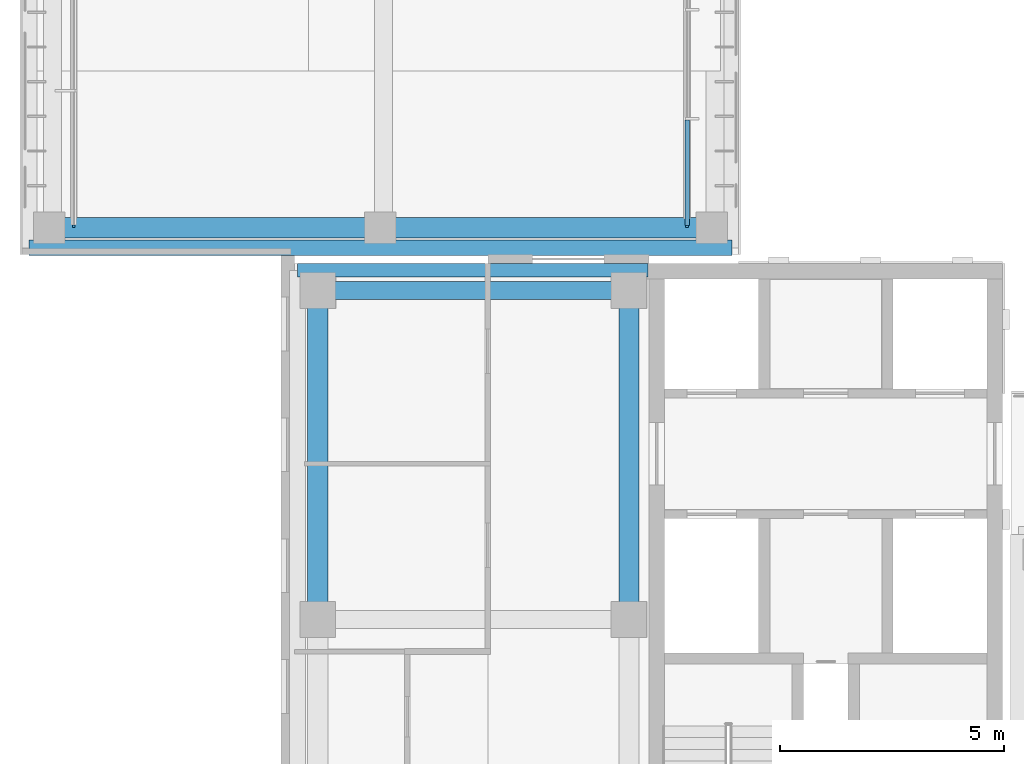
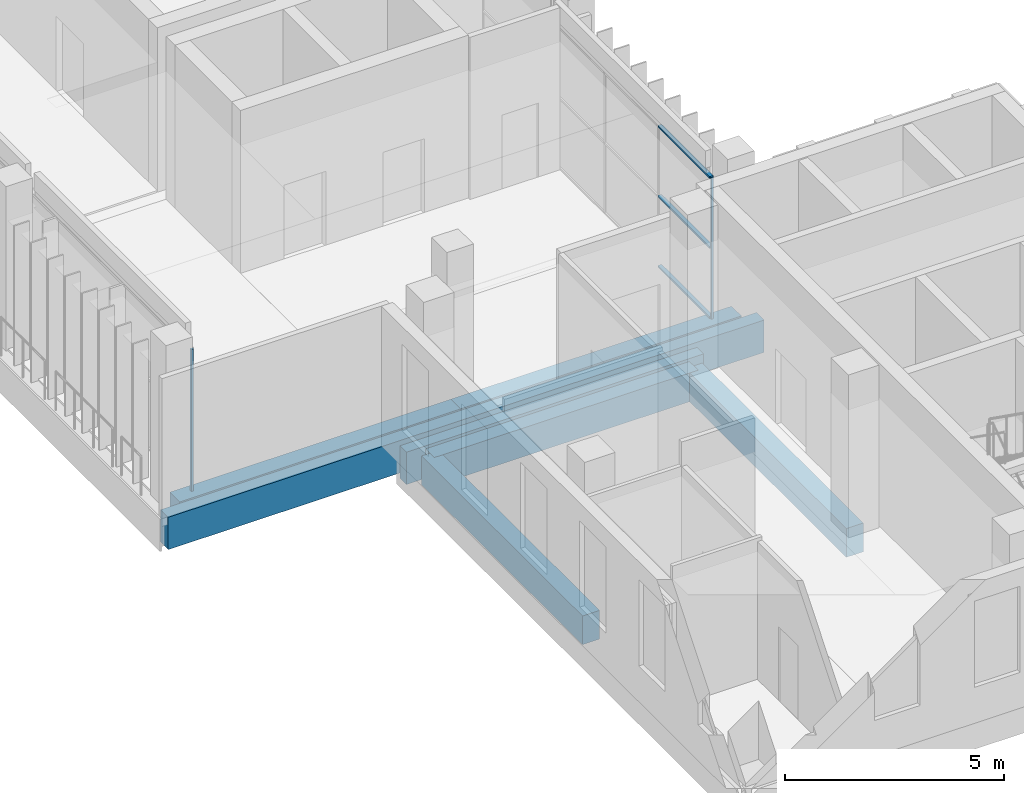
# One storey, part 3 of 46: 7 beams, 5 members, 2 elements without a shape of their own.
"""IFC4 building model written with IfcOpenShell, lengths in metres."""

from ifc_helpers import new_model, si_unit, direction, frame, origin, origin_2d, place, context, subcontext, project, spatial, rectangle, extrude, material, material_profile, profile_set, type_object, element, aggregate, save


model = new_model("IFC4")

# Units and contexts
model_context = context("Model", 3, precision=1e-05, world=origin(), true_north=direction((0.0, 1.0)))
body_context = subcontext(model_context, "Body", "Model", "MODEL_VIEW")
ifc_project = project(units=[si_unit("LENGTHUNIT", "METRE"), si_unit("AREAUNIT", "SQUARE_METRE"), si_unit("VOLUMEUNIT", "CUBIC_METRE"), si_unit("PLANEANGLEUNIT", "RADIAN"), si_unit("MASSUNIT", "GRAM", prefix="KILO")], contexts=[model_context])

# Site, building, storey
site_placement = place(None, origin())
site = spatial("IfcSite", under=ifc_project, at=site_placement, CompositionType="ELEMENT")
building_placement = place(site_placement, origin())
building = spatial("IfcBuilding", under=site, at=building_placement, Name="Lantern Court Media Centre", CompositionType="ELEMENT")
storey_placement = place(building_placement, frame((0.0, 0.0, 28.800048828125)))
storey = spatial("IfcBuildingStorey", under=building, at=storey_placement, Name="L06", CompositionType="ELEMENT", Elevation=28.800048828125)

# Curtain wall, member
ifc_material_1 = material(Name="Curtain wall bay 2400")
curtain_wall_type_1 = type_object("IfcCurtainWallType", Name="Curtain wall bay 2400", PredefinedType="NOTDEFINED", material=ifc_material_1)
curtain_wall_1_placement = place(storey_placement, origin())
curtain_wall_1 = element("IfcCurtainWall", 1, at=curtain_wall_1_placement, inside=storey, type_object=curtain_wall_type_1, Name="Curtain wall W inner L06", PredefinedType="NOTDEFINED")
ifc_material_2 = material(Name="Anodised aluminium", Category="aluminium")
ifc_material_profile_1 = material_profile(ifc_material_2, rectangle(XDim=0.06005859375, YDim=0.050048828125, at=origin_2d()), Name="AL 50x60")
ifc_profile_set_1 = profile_set([ifc_material_profile_1], Name="Anodised aluminium")
member_type_1 = type_object("IfcMemberType", Name="Curtain wall mullion 50x60", PredefinedType="MULLION", material=ifc_profile_set_1)
member_1_placement = place(storey_placement, frame((16.85009765625, 64.72509765625, 0.0), z_axis=(0.0, 0.0, 1.0), x_axis=(-1.0, 0.0, 0.0)))
member_1 = element("IfcMember", 2, at=member_1_placement, type_object=member_type_1, Name="CW2 mullion 1", PredefinedType="MULLION", context=body_context, shape_type="SweptSolid", body=[
    extrude(rectangle(XDim=0.06005859375, YDim=0.050048828125, at=origin_2d()), origin(), (0.0, 0.0, 1.0), 3.949951171875),
])

ifc_material_3 = material(Name="Curtain wall bay 3000")
curtain_wall_type_2 = type_object("IfcCurtainWallType", Name="Curtain wall bay 3000", PredefinedType="NOTDEFINED", material=ifc_material_3)
curtain_wall_2_placement = place(storey_placement, origin())
curtain_wall_2 = element("IfcCurtainWall", 3, at=curtain_wall_2_placement, inside=storey, type_object=curtain_wall_type_2, Name="Curtain wall W outer L06", PredefinedType="NOTDEFINED")
ifc_material_profile_2 = material_profile(ifc_material_2, rectangle(XDim=0.06005859375, YDim=0.06005859375, at=origin_2d()), Name="AL 60x60")
ifc_profile_set_2 = profile_set([ifc_material_profile_2], Name="Anodised aluminium")
member_type_2 = type_object("IfcMemberType", Name="Curtain wall mullion 60x60", PredefinedType="MULLION", material=ifc_profile_set_2)
member_2_placement = place(storey_placement, frame((3.14990234375, 64.72998046875, 0.0), z_axis=(0.0, 0.0, 1.0), x_axis=(-1.0, 0.0, 0.0)))
member_2 = element("IfcMember", 4, at=member_2_placement, type_object=member_type_2, Name="CW1 mullion 1", PredefinedType="MULLION", context=body_context, shape_type="SweptSolid", body=[
    extrude(rectangle(XDim=0.06005859375, YDim=0.06005859375, at=origin_2d()), origin(), (0.0, 0.0, 1.0), 3.949951171875),
])
aggregate(curtain_wall_2, [member_2])

# Member
ifc_material_profile_3 = material_profile(ifc_material_2, rectangle(XDim=0.10009765625, YDim=0.050048828125, at=origin_2d()), Name="AL 50x100")
ifc_profile_set_3 = profile_set([ifc_material_profile_3], Name="Anodised aluminium")
member_type_3 = type_object("IfcMemberType", Name="Curtain wall transom 100x50", PredefinedType="USERDEFINED", material=ifc_profile_set_3)
member_3_placement = place(storey_placement, frame((16.85009765625, 64.75, 0.02490234375), z_axis=(0.0, 1.0, 0.0), x_axis=(-1.0, 0.0, 0.0)))
member_3 = element("IfcMember", 5, at=member_3_placement, type_object=member_type_3, Name="CW2 transom 1.1", ObjectType="TRANSOM", PredefinedType="USERDEFINED", context=body_context, shape_type="SweptSolid", body=[
    extrude(rectangle(XDim=0.10009765625, YDim=0.050048828125, at=origin_2d()), origin(), (0.0, 0.0, 1.0), 2.3583984375),
])

member_4_placement = place(storey_placement, frame((16.85009765625, 64.75, 1.974853515625), z_axis=(0.0, 1.0, 0.0), x_axis=(-1.0, 0.0, 0.0)))
member_4 = element("IfcMember", 6, at=member_4_placement, type_object=member_type_3, Name="CW2 transom 1.2", ObjectType="TRANSOM", PredefinedType="USERDEFINED", context=body_context, shape_type="SweptSolid", body=[
    extrude(rectangle(XDim=0.10009765625, YDim=0.050048828125, at=origin_2d()), origin(), (0.0, 0.0, 1.0), 2.3583984375),
])

member_5_placement = place(storey_placement, frame((16.85009765625, 64.75, 3.925048828125), z_axis=(0.0, 1.0, 0.0), x_axis=(-1.0, 0.0, 0.0)))
member_5 = element("IfcMember", 7, at=member_5_placement, type_object=member_type_3, Name="CW2 transom 1.3", ObjectType="TRANSOM", PredefinedType="USERDEFINED", context=body_context, shape_type="SweptSolid", body=[
    extrude(rectangle(XDim=0.10009765625, YDim=0.050048828125, at=origin_2d()), origin(), (0.0, 0.0, 1.0), 2.3583984375),
])

aggregate(curtain_wall_1, [member_1, member_3, member_4, member_5])

# Beams
ifc_material_4 = material(Name="Concrete C35", Category="concrete")
ifc_material_profile_4 = material_profile(ifc_material_4, rectangle(XDim=0.300048828125, YDim=0.89990234375, at=origin_2d()), Name="RC 300x900")
ifc_profile_set_4 = profile_set([ifc_material_profile_4], Name="Concrete C35")
beam_type_1 = type_object("IfcBeamType", Name="RC BEAM 300x900", PredefinedType="BEAM", material=ifc_profile_set_4)
beam_1_placement = place(storey_placement, frame((8.14990234375, 63.75, -0.449951171875), z_axis=(1.0, 0.0, 0.0), x_axis=(0.0, 1.0, 0.0)))
element("IfcBeam", 8, at=beam_1_placement, inside=storey, type_object=beam_type_1, Name="EB-SW-L06-N", PredefinedType="BEAM", context=body_context, shape_type="SweptSolid", body=[
    extrude(rectangle(XDim=0.300048828125, YDim=0.89990234375, at=origin_2d()), origin(), (0.0, 0.0, 1.0), 7.830078125),
])
ifc_material_profile_5 = material_profile(ifc_material_4, rectangle(XDim=0.35009765625, YDim=0.89990234375, at=origin_2d()), Name="RC 350x900")
ifc_profile_set_5 = profile_set([ifc_material_profile_5], Name="Concrete C35")
beam_type_2 = type_object("IfcBeamType", Name="RC BEAM 350x900", PredefinedType="BEAM", material=ifc_profile_set_5)
beam_2_placement = place(storey_placement, frame((2.14990234375, 64.25, -0.449951171875), z_axis=(1.0, 0.0, 0.0), x_axis=(0.0, 1.0, 0.0)))
element("IfcBeam", 9, at=beam_2_placement, inside=storey, type_object=beam_type_2, Name="EB-W-L06-C", PredefinedType="BEAM", context=body_context, shape_type="SweptSolid", body=[
    extrude(rectangle(XDim=0.35009765625, YDim=0.89990234375, at=origin_2d()), origin(), (0.0, 0.0, 1.0), 15.7001953125),
])
ifc_material_profile_6 = material_profile(ifc_material_4, rectangle(XDim=0.39990234375, YDim=0.800048828125, at=origin_2d()), Name="RC 400x800")
ifc_profile_set_6 = profile_set([ifc_material_profile_6], Name="Concrete C35")
beam_type_3 = type_object("IfcBeamType", Name="RC BEAM 400x800", PredefinedType="BEAM", material=ifc_profile_set_6)
beam_3_placement = place(storey_placement, frame((8.60009765625, 63.300048828125, -0.400146484375), z_axis=(1.0, 0.0, 0.0), x_axis=(0.0, 1.0, 0.0)))
element("IfcBeam", 10, at=beam_3_placement, inside=storey, type_object=beam_type_3, Name="BB-SW-L06-Y0-63", PredefinedType="BEAM", context=body_context, shape_type="SweptSolid", body=[
    extrude(rectangle(XDim=0.39990234375, YDim=0.800048828125, at=origin_2d()), origin(), (0.0, 0.0, 1.0), 6.949951171875),
])
ifc_material_profile_7 = material_profile(ifc_material_4, rectangle(XDim=0.449951171875, YDim=0.800048828125, at=origin_2d()), Name="RC 450x800")
ifc_profile_set_7 = profile_set([ifc_material_profile_7], Name="Concrete C35")
beam_type_4 = type_object("IfcBeamType", Name="RC BEAM 450x800", PredefinedType="BEAM", material=ifc_profile_set_7)
for number, where, z_axis, x_axis, name in (
    (11, (8.60009765625, 55.949951171875, -0.400146484375), (0.0, 1.0, 0.0), (-1.0, 0.0, 0.0), "BB-SW-L06-X1-8"),
    (12, (15.550048828125, 55.949951171875, -0.400146484375), (0.0, 1.0, 0.0), (-1.0, 0.0, 0.0), "BB-SW-L06-X1-15"),
):
    element("IfcBeam", number, at=place(storey_placement, frame(where, z_axis=z_axis, x_axis=x_axis)), inside=storey, type_object=beam_type_4, Name=name, PredefinedType="BEAM", context=body_context, shape_type="SweptSolid", body=[
        extrude(rectangle(XDim=0.449951171875, YDim=0.800048828125, at=origin_2d()), origin(), (0.0, 0.0, 1.0), 7.35009765625),
    ])
beam_4_placement = place(storey_placement, frame((2.683349609375, 64.699951171875, -0.400146484375), z_axis=(1.0, 0.0, 0.0), x_axis=(0.0, 1.0, 0.0)))
element("IfcBeam", 13, at=beam_4_placement, inside=storey, type_object=beam_type_4, Name="TB-W-L06-0-1", PredefinedType="BEAM", context=body_context, shape_type="SweptSolid", body=[
    extrude(rectangle(XDim=0.449951171875, YDim=0.800048828125, at=origin_2d()), origin(), (0.0, 0.0, 1.0), 7.39990234375),
])
beam_5_placement = place(storey_placement, frame((10.083251953125, 64.699951171875, -0.400146484375), z_axis=(1.0, 0.0, 0.0), x_axis=(0.0, 1.0, 0.0)))
element("IfcBeam", 14, at=beam_5_placement, inside=storey, type_object=beam_type_4, Name="TB-W-L06-0-2", PredefinedType="BEAM", context=body_context, shape_type="SweptSolid", body=[
    extrude(rectangle(XDim=0.449951171875, YDim=0.800048828125, at=origin_2d()), origin(), (0.0, 0.0, 1.0), 7.400146484375),
])

save(model, "model.ifc")
